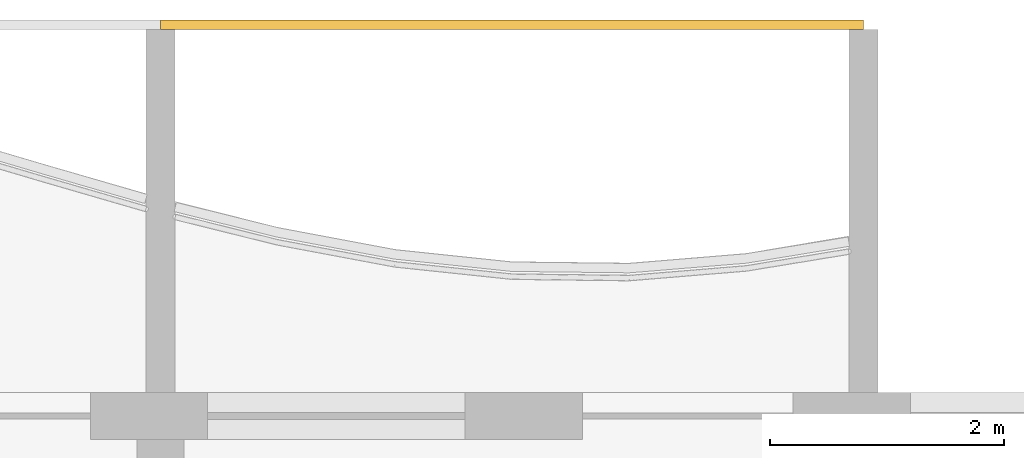
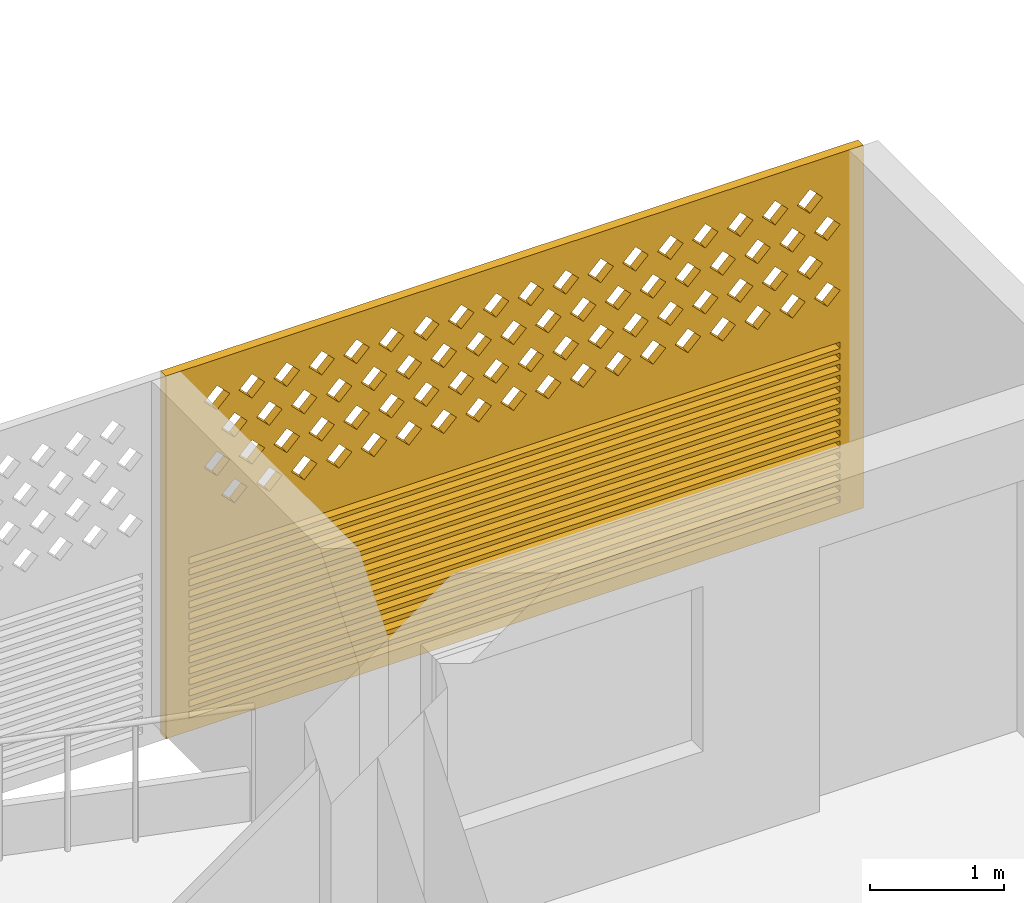
# One storey, part 24 of 39: 1 covering.
"""IFC4 building model written with IfcOpenShell, lengths in metres."""

import ifcopenshell
import ifcopenshell.guid

model = None  # the IFC model being written
_history = None  # IfcOwnerHistory: only IFC2X3 demands one
_inside = {}  # id of a spatial element -> (the spatial element, [elements in it])
_under = {}  # id of a project, library or spatial element -> (it, [spatial elements below it])
_declared = {}  # id of a project -> (the project, [libraries it declares])
_typed = {}  # id of a type object -> (the type object, [elements of that type])
_made_of = {}  # id of a material, layer set ... -> (it, [elements and type objects made of it])


def new_model(schema):
    """Start an empty IFC model of exactly this schema.

    Asked for "IFC4X3", IfcOpenShell would pick the latest addendum, in which some entities
    have other attributes; the version numbers below select the first issue.
    IFC2X3 requires an IfcOwnerHistory on every rooted entity: one is made here for all.
    """
    global model, _history
    if schema == "IFC4X3":
        model = ifcopenshell.file(schema_version=(4, 3, 0, 0))
    else:
        model = ifcopenshell.file(schema=schema)
    _inside.clear()
    _under.clear()
    _declared.clear()
    _typed.clear()
    _made_of.clear()
    _history = None
    if model.schema == "IFC2X3":
        org = make("IfcOrganization", Name="unknown")
        user = make(
            "IfcPersonAndOrganization",
            ThePerson=make("IfcPerson", FamilyName="unknown"),
            TheOrganization=org,
        )
        app = make(
            "IfcApplication",
            ApplicationDeveloper=org,
            Version="unknown",
            ApplicationFullName="unknown",
            ApplicationIdentifier="unknown",
        )
        _history = make(
            "IfcOwnerHistory",
            OwningUser=user,
            OwningApplication=app,
            ChangeAction="ADDED",
            CreationDate=0,
        )
    return model


def make(cls, **values):
    """One entity of the class cls with the attributes given. An attribute that is None is left unset."""
    return model.create_entity(
        cls, **{name: value for name, value in values.items() if value is not None}
    )


def rooted(cls, **values):
    """An entity with a GlobalId (a new one), such as an element, a storey or a relation."""
    return make(cls, GlobalId=ifcopenshell.guid.new(), OwnerHistory=_history, **values)


def si_unit(unit_type, name, prefix=None):
    """IfcSIUnit, for example si_unit("LENGTHUNIT", "METRE", prefix="MILLI")."""
    return make("IfcSIUnit", UnitType=unit_type, Prefix=prefix, Name=name)


def assignment(units):
    """IfcUnitAssignment: the units of a project."""
    return None if units is None else make("IfcUnitAssignment", Units=units)


def point(xyz):
    """IfcCartesianPoint."""
    return None if xyz is None else make("IfcCartesianPoint", Coordinates=xyz)


def direction(xyz):
    """IfcDirection."""
    return None if xyz is None else make("IfcDirection", DirectionRatios=xyz)


def frame(location, z_axis=None, x_axis=None):
    """IfcAxis2Placement3D, a coordinate frame: its origin and axes. An axis left out is left unset."""
    return make(
        "IfcAxis2Placement3D",
        Location=point(location),
        Axis=direction(z_axis),
        RefDirection=direction(x_axis),
    )


def origin():
    """The frame at (0, 0, 0) with its axes left unset."""
    return frame((0.0, 0.0, 0.0))


def place(relative_to, where):
    """IfcLocalPlacement: puts the frame where relative to a parent placement (None: the world)."""
    return make(
        "IfcLocalPlacement", PlacementRelTo=relative_to, RelativePlacement=where
    )


def context(
    kind, dimensions, precision=None, world=None, true_north=None, identifier=None
):
    """IfcGeometricRepresentationContext, for example the 3D "Model" context."""
    return make(
        "IfcGeometricRepresentationContext",
        ContextIdentifier=identifier,
        ContextType=kind,
        CoordinateSpaceDimension=dimensions,
        Precision=precision,
        WorldCoordinateSystem=world,
        TrueNorth=true_north,
    )


def subcontext(parent, identifier, kind, view, scale=None):
    """IfcGeometricRepresentationSubContext, for example "Body" below "Model"."""
    return make(
        "IfcGeometricRepresentationSubContext",
        ContextIdentifier=identifier,
        ContextType=kind,
        ParentContext=parent,
        TargetScale=scale,
        TargetView=view,
    )


def project(units=None, contexts=None):
    """IfcProject with its units and contexts."""
    return rooted(
        "IfcProject",
        Name="project",
        RepresentationContexts=contexts,
        UnitsInContext=assignment(units),
    )


def spatial(cls, under=None, at=None, **own):
    """A site, building, storey or space (cls), placed at a placement, below another one or the project."""
    s = rooted(cls, ObjectPlacement=at, **own)
    if under is not None:
        _under.setdefault(under.id(), (under, []))[1].append(s)
    return s


def polyline(points):
    """IfcPolyline through the points."""
    return make("IfcPolyline", Points=[point(p) for p in points])


def outline(outer, holes=None, kind="AREA"):
    """IfcArbitraryClosedProfileDef: a profile drawn as a closed curve; with holes, ...WithVoids."""
    if holes is None:
        return make("IfcArbitraryClosedProfileDef", ProfileType=kind, OuterCurve=outer)
    return make(
        "IfcArbitraryProfileDefWithVoids",
        ProfileType=kind,
        OuterCurve=outer,
        InnerCurves=holes,
    )


def extrude(swept, where, along, depth):
    """IfcExtrudedAreaSolid: the profile swept, set in the frame where, extruded along a direction by depth."""
    return make(
        "IfcExtrudedAreaSolid",
        SweptArea=swept,
        Position=where,
        ExtrudedDirection=direction(along),
        Depth=depth,
    )


def shape(context_of_items, identifier, shape_type, items):
    """IfcShapeRepresentation: the items that make up one representation, for example the "Body"."""
    return make(
        "IfcShapeRepresentation",
        ContextOfItems=context_of_items,
        RepresentationIdentifier=identifier,
        RepresentationType=shape_type,
        Items=items,
    )


def source(mapping_origin, context_of_items, identifier, shape_type, items):
    """IfcRepresentationMap: a shape defined once, which mapped items show again and again."""
    return make(
        "IfcRepresentationMap",
        MappingOrigin=mapping_origin,
        MappedRepresentation=shape(context_of_items, identifier, shape_type, items),
    )


def transform(
    local_origin,
    x_axis=None,
    y_axis=None,
    z_axis=None,
    scale=None,
    scale2=None,
    scale3=None,
    uniform=True,
):
    """IfcCartesianTransformationOperator3D, or its non-uniform kind. x_axis, y_axis, z_axis: its Axis1, 2, 3."""
    if uniform:
        return make(
            "IfcCartesianTransformationOperator3D",
            Axis1=direction(x_axis),
            Axis2=direction(y_axis),
            LocalOrigin=point(local_origin),
            Scale=scale,
            Axis3=direction(z_axis),
        )
    return make(
        "IfcCartesianTransformationOperator3DnonUniform",
        Axis1=direction(x_axis),
        Axis2=direction(y_axis),
        LocalOrigin=point(local_origin),
        Scale=scale,
        Axis3=direction(z_axis),
        Scale2=scale2,
        Scale3=scale3,
    )


def mapped(mapping_source, mapping_target):
    """IfcMappedItem: shows the shape of a source again, moved by a transform."""
    return make(
        "IfcMappedItem", MappingSource=mapping_source, MappingTarget=mapping_target
    )


def material(Name=None, Category=None):
    """IfcMaterial."""
    return make("IfcMaterial", Name=Name, Category=Category)


def material_profile(
    of_material, cross_section, Name=None, Category=None, Priority=None
):
    """IfcMaterialProfile: a cross section and its material."""
    return make(
        "IfcMaterialProfile",
        Name=Name,
        Material=of_material,
        Profile=cross_section,
        Priority=Priority,
        Category=Category,
    )


def profile_set(profiles, Name=None, composite=None):
    """IfcMaterialProfileSet."""
    return make(
        "IfcMaterialProfileSet",
        Name=Name,
        MaterialProfiles=profiles,
        CompositeProfile=composite,
    )


def made_of(thing, what):
    """Note that an element or type object is made of a material, layer set ...; save() writes the relation."""
    if what is not None:
        _made_of.setdefault(what.id(), (what, []))[1].append(thing)
    return thing


def type_object(cls, material=None, **own):
    """A type object (cls), such as IfcWallType, which elements share."""
    return made_of(rooted(cls, **own), material)


def element(
    cls,
    number,
    at=None,
    inside=None,
    cuts=None,
    type_object=None,
    material=None,
    context=None,
    identifier="Body",
    shape_type=None,
    held_by="IfcProductDefinitionShape",
    body=None,
    shapes=None,
    **own,
):
    """One element of the class cls, such as IfcWall. Its Tag is "e" and its number.

    at: its placement. inside: the storey or other place that contains it. cuts: it is an
    opening in that element (IfcRelVoidsElement). A single representation is given by context,
    identifier, shape_type and body (its items); several are given by shapes. held_by: the class
    of the entity that holds the representations. save() writes the other relations.
    """
    e = rooted(cls, Tag="e%d" % number, ObjectPlacement=at, **own)
    if body is not None:
        shapes = [shape(context, identifier, shape_type, body)]
    if shapes is not None:
        e.Representation = make(held_by, Representations=shapes)
    if inside is not None:
        _inside.setdefault(inside.id(), (inside, []))[1].append(e)
    if cuts is not None:
        rooted(
            "IfcRelVoidsElement", RelatingBuildingElement=cuts, RelatedOpeningElement=e
        )
    if type_object is not None:
        _typed.setdefault(type_object.id(), (type_object, []))[1].append(e)
    return made_of(e, material)


def aggregate(whole, parts):
    """IfcRelAggregates: a whole, such as a stair, and the parts it consists of."""
    return rooted("IfcRelAggregates", RelatingObject=whole, RelatedObjects=parts)


def save(model, path):
    """Write the relations noted so far, then the file.

    IfcRelAggregates (storeys below a building ...), IfcRelContainedInSpatialStructure (elements
    in a storey), IfcRelDefinesByType, IfcRelAssociatesMaterial and IfcRelDeclares: one each for
    every whole, place, type object, material and project.
    """
    for whole, parts in _under.values():
        aggregate(whole, parts)
    for where, things in _inside.values():
        rooted(
            "IfcRelContainedInSpatialStructure",
            RelatedElements=things,
            RelatingStructure=where,
        )
    for kind, things in _typed.values():
        rooted("IfcRelDefinesByType", RelatedObjects=things, RelatingType=kind)
    for what, things in _made_of.values():
        rooted("IfcRelAssociatesMaterial", RelatedObjects=things, RelatingMaterial=what)
    for by, libraries in _declared.values():
        rooted("IfcRelDeclares", RelatingContext=by, RelatedDefinitions=libraries)
    model.write(path)


model = new_model("IFC4")

# Units and contexts
model_context = context("Model", 3, precision=1e-05, world=origin(), true_north=direction((0.0, 1.0)))
body_context = subcontext(model_context, "Body", "Model", "MODEL_VIEW")
ifc_project = project(units=[si_unit("LENGTHUNIT", "METRE"), si_unit("AREAUNIT", "SQUARE_METRE"), si_unit("VOLUMEUNIT", "CUBIC_METRE"), si_unit("PLANEANGLEUNIT", "RADIAN"), si_unit("MASSUNIT", "GRAM", prefix="KILO")], contexts=[model_context])

# Site, building, storey
site_placement = place(None, origin())
site = spatial("IfcSite", under=ifc_project, at=site_placement, CompositionType="ELEMENT")
building_placement = place(site_placement, origin())
building = spatial("IfcBuilding", under=site, at=building_placement, Name="Poui Terraces", CompositionType="ELEMENT")
storey_placement = place(building_placement, frame((0.0, 0.0, 63.0)))
storey = spatial("IfcBuildingStorey", under=building, at=storey_placement, Name="L17", CompositionType="ELEMENT", Elevation=63.0)

# Covering
ifc_material = material(Name="Terracotta screen", Category="masonry")
ifc_material_profile = material_profile(ifc_material, outline(polyline([(-3.0, -1.64990234375), (3.0, -1.64990234375), (3.0, 1.64990234375), (-3.0, 1.64990234375), (-3.0, -1.64990234375)]), holes=[polyline([(-2.800048828125, 0.39990234375), (-2.68994140625, 0.2900390625), (-2.580078125, 0.39990234375), (-2.68994140625, 0.510009765625), (-2.800048828125, 0.39990234375)]), polyline([(-2.5, 0.39990234375), (-2.389892578125, 0.2900390625), (-2.280029296875, 0.39990234375), (-2.389892578125, 0.510009765625), (-2.5, 0.39990234375)]), polyline([(-2.199951171875, 0.39990234375), (-2.090087890625, 0.2900390625), (-1.97998046875, 0.39990234375), (-2.090087890625, 0.510009765625), (-2.199951171875, 0.39990234375)]), polyline([(-1.89990234375, 0.39990234375), (-1.7900390625, 0.2900390625), (-1.679931640625, 0.39990234375), (-1.7900390625, 0.510009765625), (-1.89990234375, 0.39990234375)]), polyline([(-1.60009765625, 0.39990234375), (-1.489990234375, 0.2900390625), (-1.3798828125, 0.39990234375), (-1.489990234375, 0.510009765625), (-1.60009765625, 0.39990234375)]), polyline([(-1.300048828125, 0.39990234375), (-1.18994140625, 0.2900390625), (-1.080078125, 0.39990234375), (-1.18994140625, 0.510009765625), (-1.300048828125, 0.39990234375)]), polyline([(-1.0, 0.39990234375), (-0.889892578125, 0.2900390625), (-0.780029296875, 0.39990234375), (-0.889892578125, 0.510009765625), (-1.0, 0.39990234375)]), polyline([(-0.699951171875, 0.39990234375), (-0.590087890625, 0.2900390625), (-0.47998046875, 0.39990234375), (-0.590087890625, 0.510009765625), (-0.699951171875, 0.39990234375)]), polyline([(-0.39990234375, 0.39990234375), (-0.2900390625, 0.2900390625), (-0.179931640625, 0.39990234375), (-0.2900390625, 0.510009765625), (-0.39990234375, 0.39990234375)]), polyline([(-0.10009765625, 0.39990234375), (0.010009765625, 0.2900390625), (0.1201171875, 0.39990234375), (0.010009765625, 0.510009765625), (-0.10009765625, 0.39990234375)]), polyline([(0.199951171875, 0.39990234375), (0.31005859375, 0.2900390625), (0.419921875, 0.39990234375), (0.31005859375, 0.510009765625), (0.199951171875, 0.39990234375)]), polyline([(0.5, 0.39990234375), (0.610107421875, 0.2900390625), (0.719970703125, 0.39990234375), (0.610107421875, 0.510009765625), (0.5, 0.39990234375)]), polyline([(0.800048828125, 0.39990234375), (0.909912109375, 0.2900390625), (1.02001953125, 0.39990234375), (0.909912109375, 0.510009765625), (0.800048828125, 0.39990234375)]), polyline([(1.10009765625, 0.39990234375), (1.2099609375, 0.2900390625), (1.320068359375, 0.39990234375), (1.2099609375, 0.510009765625), (1.10009765625, 0.39990234375)]), polyline([(1.39990234375, 0.39990234375), (1.510009765625, 0.2900390625), (1.6201171875, 0.39990234375), (1.510009765625, 0.510009765625), (1.39990234375, 0.39990234375)]), polyline([(1.699951171875, 0.39990234375), (1.81005859375, 0.2900390625), (1.919921875, 0.39990234375), (1.81005859375, 0.510009765625), (1.699951171875, 0.39990234375)]), polyline([(2.0, 0.39990234375), (2.110107421875, 0.2900390625), (2.219970703125, 0.39990234375), (2.110107421875, 0.510009765625), (2.0, 0.39990234375)]), polyline([(2.300048828125, 0.39990234375), (2.409912109375, 0.2900390625), (2.52001953125, 0.39990234375), (2.409912109375, 0.510009765625), (2.300048828125, 0.39990234375)]), polyline([(-2.64990234375, 0.699951171875), (-2.5400390625, 0.590087890625), (-2.429931640625, 0.699951171875), (-2.5400390625, 0.81005859375), (-2.64990234375, 0.699951171875)]), polyline([(-2.35009765625, 0.699951171875), (-2.239990234375, 0.590087890625), (-2.1298828125, 0.699951171875), (-2.239990234375, 0.81005859375), (-2.35009765625, 0.699951171875)]), polyline([(-2.050048828125, 0.699951171875), (-1.93994140625, 0.590087890625), (-1.830078125, 0.699951171875), (-1.93994140625, 0.81005859375), (-2.050048828125, 0.699951171875)]), polyline([(-1.75, 0.699951171875), (-1.639892578125, 0.590087890625), (-1.530029296875, 0.699951171875), (-1.639892578125, 0.81005859375), (-1.75, 0.699951171875)]), polyline([(-1.449951171875, 0.699951171875), (-1.340087890625, 0.590087890625), (-1.22998046875, 0.699951171875), (-1.340087890625, 0.81005859375), (-1.449951171875, 0.699951171875)]), polyline([(-1.14990234375, 0.699951171875), (-1.0400390625, 0.590087890625), (-0.929931640625, 0.699951171875), (-1.0400390625, 0.81005859375), (-1.14990234375, 0.699951171875)]), polyline([(-0.85009765625, 0.699951171875), (-0.739990234375, 0.590087890625), (-0.6298828125, 0.699951171875), (-0.739990234375, 0.81005859375), (-0.85009765625, 0.699951171875)]), polyline([(-0.550048828125, 0.699951171875), (-0.43994140625, 0.590087890625), (-0.330078125, 0.699951171875), (-0.43994140625, 0.81005859375), (-0.550048828125, 0.699951171875)]), polyline([(-0.25, 0.699951171875), (-0.139892578125, 0.590087890625), (-0.030029296875, 0.699951171875), (-0.139892578125, 0.81005859375), (-0.25, 0.699951171875)]), polyline([(0.050048828125, 0.699951171875), (0.159912109375, 0.590087890625), (0.27001953125, 0.699951171875), (0.159912109375, 0.81005859375), (0.050048828125, 0.699951171875)]), polyline([(0.35009765625, 0.699951171875), (0.4599609375, 0.590087890625), (0.570068359375, 0.699951171875), (0.4599609375, 0.81005859375), (0.35009765625, 0.699951171875)]), polyline([(0.64990234375, 0.699951171875), (0.760009765625, 0.590087890625), (0.8701171875, 0.699951171875), (0.760009765625, 0.81005859375), (0.64990234375, 0.699951171875)]), polyline([(0.949951171875, 0.699951171875), (1.06005859375, 0.590087890625), (1.169921875, 0.699951171875), (1.06005859375, 0.81005859375), (0.949951171875, 0.699951171875)]), polyline([(1.25, 0.699951171875), (1.360107421875, 0.590087890625), (1.469970703125, 0.699951171875), (1.360107421875, 0.81005859375), (1.25, 0.699951171875)]), polyline([(1.550048828125, 0.699951171875), (1.659912109375, 0.590087890625), (1.77001953125, 0.699951171875), (1.659912109375, 0.81005859375), (1.550048828125, 0.699951171875)]), polyline([(1.85009765625, 0.699951171875), (1.9599609375, 0.590087890625), (2.070068359375, 0.699951171875), (1.9599609375, 0.81005859375), (1.85009765625, 0.699951171875)]), polyline([(2.14990234375, 0.699951171875), (2.260009765625, 0.590087890625), (2.3701171875, 0.699951171875), (2.260009765625, 0.81005859375), (2.14990234375, 0.699951171875)]), polyline([(2.449951171875, 0.699951171875), (2.56005859375, 0.590087890625), (2.669921875, 0.699951171875), (2.56005859375, 0.81005859375), (2.449951171875, 0.699951171875)]), polyline([(-2.800048828125, 1.0), (-2.68994140625, 0.889892578125), (-2.580078125, 1.0), (-2.68994140625, 1.110107421875), (-2.800048828125, 1.0)]), polyline([(-2.5, 1.0), (-2.389892578125, 0.889892578125), (-2.280029296875, 1.0), (-2.389892578125, 1.110107421875), (-2.5, 1.0)]), polyline([(-2.199951171875, 1.0), (-2.090087890625, 0.889892578125), (-1.97998046875, 1.0), (-2.090087890625, 1.110107421875), (-2.199951171875, 1.0)]), polyline([(-1.89990234375, 1.0), (-1.7900390625, 0.889892578125), (-1.679931640625, 1.0), (-1.7900390625, 1.110107421875), (-1.89990234375, 1.0)]), polyline([(-1.60009765625, 1.0), (-1.489990234375, 0.889892578125), (-1.3798828125, 1.0), (-1.489990234375, 1.110107421875), (-1.60009765625, 1.0)]), polyline([(-1.300048828125, 1.0), (-1.18994140625, 0.889892578125), (-1.080078125, 1.0), (-1.18994140625, 1.110107421875), (-1.300048828125, 1.0)]), polyline([(-1.0, 1.0), (-0.889892578125, 0.889892578125), (-0.780029296875, 1.0), (-0.889892578125, 1.110107421875), (-1.0, 1.0)]), polyline([(-0.699951171875, 1.0), (-0.590087890625, 0.889892578125), (-0.47998046875, 1.0), (-0.590087890625, 1.110107421875), (-0.699951171875, 1.0)]), polyline([(-0.39990234375, 1.0), (-0.2900390625, 0.889892578125), (-0.179931640625, 1.0), (-0.2900390625, 1.110107421875), (-0.39990234375, 1.0)]), polyline([(-0.10009765625, 1.0), (0.010009765625, 0.889892578125), (0.1201171875, 1.0), (0.010009765625, 1.110107421875), (-0.10009765625, 1.0)]), polyline([(0.199951171875, 1.0), (0.31005859375, 0.889892578125), (0.419921875, 1.0), (0.31005859375, 1.110107421875), (0.199951171875, 1.0)]), polyline([(0.5, 1.0), (0.610107421875, 0.889892578125), (0.719970703125, 1.0), (0.610107421875, 1.110107421875), (0.5, 1.0)]), polyline([(0.800048828125, 1.0), (0.909912109375, 0.889892578125), (1.02001953125, 1.0), (0.909912109375, 1.110107421875), (0.800048828125, 1.0)]), polyline([(1.10009765625, 1.0), (1.2099609375, 0.889892578125), (1.320068359375, 1.0), (1.2099609375, 1.110107421875), (1.10009765625, 1.0)]), polyline([(1.39990234375, 1.0), (1.510009765625, 0.889892578125), (1.6201171875, 1.0), (1.510009765625, 1.110107421875), (1.39990234375, 1.0)]), polyline([(1.699951171875, 1.0), (1.81005859375, 0.889892578125), (1.919921875, 1.0), (1.81005859375, 1.110107421875), (1.699951171875, 1.0)]), polyline([(2.0, 1.0), (2.110107421875, 0.889892578125), (2.219970703125, 1.0), (2.110107421875, 1.110107421875), (2.0, 1.0)]), polyline([(2.300048828125, 1.0), (2.409912109375, 0.889892578125), (2.52001953125, 1.0), (2.409912109375, 1.110107421875), (2.300048828125, 1.0)]), polyline([(-2.64990234375, 1.300048828125), (-2.5400390625, 1.18994140625), (-2.429931640625, 1.300048828125), (-2.5400390625, 1.409912109375), (-2.64990234375, 1.300048828125)]), polyline([(-2.35009765625, 1.300048828125), (-2.239990234375, 1.18994140625), (-2.1298828125, 1.300048828125), (-2.239990234375, 1.409912109375), (-2.35009765625, 1.300048828125)]), polyline([(-2.050048828125, 1.300048828125), (-1.93994140625, 1.18994140625), (-1.830078125, 1.300048828125), (-1.93994140625, 1.409912109375), (-2.050048828125, 1.300048828125)]), polyline([(-1.75, 1.300048828125), (-1.639892578125, 1.18994140625), (-1.530029296875, 1.300048828125), (-1.639892578125, 1.409912109375), (-1.75, 1.300048828125)]), polyline([(-1.449951171875, 1.300048828125), (-1.340087890625, 1.18994140625), (-1.22998046875, 1.300048828125), (-1.340087890625, 1.409912109375), (-1.449951171875, 1.300048828125)]), polyline([(-1.14990234375, 1.300048828125), (-1.0400390625, 1.18994140625), (-0.929931640625, 1.300048828125), (-1.0400390625, 1.409912109375), (-1.14990234375, 1.300048828125)]), polyline([(-0.85009765625, 1.300048828125), (-0.739990234375, 1.18994140625), (-0.6298828125, 1.300048828125), (-0.739990234375, 1.409912109375), (-0.85009765625, 1.300048828125)]), polyline([(-0.550048828125, 1.300048828125), (-0.43994140625, 1.18994140625), (-0.330078125, 1.300048828125), (-0.43994140625, 1.409912109375), (-0.550048828125, 1.300048828125)]), polyline([(-0.25, 1.300048828125), (-0.139892578125, 1.18994140625), (-0.030029296875, 1.300048828125), (-0.139892578125, 1.409912109375), (-0.25, 1.300048828125)]), polyline([(0.050048828125, 1.300048828125), (0.159912109375, 1.18994140625), (0.27001953125, 1.300048828125), (0.159912109375, 1.409912109375), (0.050048828125, 1.300048828125)]), polyline([(0.35009765625, 1.300048828125), (0.4599609375, 1.18994140625), (0.570068359375, 1.300048828125), (0.4599609375, 1.409912109375), (0.35009765625, 1.300048828125)]), polyline([(0.64990234375, 1.300048828125), (0.760009765625, 1.18994140625), (0.8701171875, 1.300048828125), (0.760009765625, 1.409912109375), (0.64990234375, 1.300048828125)]), polyline([(0.949951171875, 1.300048828125), (1.06005859375, 1.18994140625), (1.169921875, 1.300048828125), (1.06005859375, 1.409912109375), (0.949951171875, 1.300048828125)]), polyline([(1.25, 1.300048828125), (1.360107421875, 1.18994140625), (1.469970703125, 1.300048828125), (1.360107421875, 1.409912109375), (1.25, 1.300048828125)]), polyline([(1.550048828125, 1.300048828125), (1.659912109375, 1.18994140625), (1.77001953125, 1.300048828125), (1.659912109375, 1.409912109375), (1.550048828125, 1.300048828125)]), polyline([(1.85009765625, 1.300048828125), (1.9599609375, 1.18994140625), (2.070068359375, 1.300048828125), (1.9599609375, 1.409912109375), (1.85009765625, 1.300048828125)]), polyline([(2.14990234375, 1.300048828125), (2.260009765625, 1.18994140625), (2.3701171875, 1.300048828125), (2.260009765625, 1.409912109375), (2.14990234375, 1.300048828125)]), polyline([(2.449951171875, 1.300048828125), (2.56005859375, 1.18994140625), (2.669921875, 1.300048828125), (2.56005859375, 1.409912109375), (2.449951171875, 1.300048828125)]), polyline([(-2.800048828125, -1.530029296875), (2.800048828125, -1.530029296875), (2.800048828125, -1.469970703125), (-2.800048828125, -1.469970703125), (-2.800048828125, -1.530029296875)]), polyline([(-2.800048828125, -1.429931640625), (2.800048828125, -1.429931640625), (2.800048828125, -1.3701171875), (-2.800048828125, -1.3701171875), (-2.800048828125, -1.429931640625)]), polyline([(-2.800048828125, -1.330078125), (2.800048828125, -1.330078125), (2.800048828125, -1.27001953125), (-2.800048828125, -1.27001953125), (-2.800048828125, -1.330078125)]), polyline([(-2.800048828125, -1.22998046875), (2.800048828125, -1.22998046875), (2.800048828125, -1.169921875), (-2.800048828125, -1.169921875), (-2.800048828125, -1.22998046875)]), polyline([(-2.800048828125, -1.1298828125), (2.800048828125, -1.1298828125), (2.800048828125, -1.070068359375), (-2.800048828125, -1.070068359375), (-2.800048828125, -1.1298828125)]), polyline([(-2.800048828125, -1.030029296875), (2.800048828125, -1.030029296875), (2.800048828125, -0.969970703125), (-2.800048828125, -0.969970703125), (-2.800048828125, -1.030029296875)]), polyline([(-2.800048828125, -0.929931640625), (2.800048828125, -0.929931640625), (2.800048828125, -0.8701171875), (-2.800048828125, -0.8701171875), (-2.800048828125, -0.929931640625)]), polyline([(-2.800048828125, -0.830078125), (2.800048828125, -0.830078125), (2.800048828125, -0.77001953125), (-2.800048828125, -0.77001953125), (-2.800048828125, -0.830078125)]), polyline([(-2.800048828125, -0.72998046875), (2.800048828125, -0.72998046875), (2.800048828125, -0.669921875), (-2.800048828125, -0.669921875), (-2.800048828125, -0.72998046875)]), polyline([(-2.800048828125, -0.6298828125), (2.800048828125, -0.6298828125), (2.800048828125, -0.570068359375), (-2.800048828125, -0.570068359375), (-2.800048828125, -0.6298828125)]), polyline([(-2.800048828125, -0.530029296875), (2.800048828125, -0.530029296875), (2.800048828125, -0.469970703125), (-2.800048828125, -0.469970703125), (-2.800048828125, -0.530029296875)]), polyline([(-2.800048828125, -0.429931640625), (2.800048828125, -0.429931640625), (2.800048828125, -0.3701171875), (-2.800048828125, -0.3701171875), (-2.800048828125, -0.429931640625)]), polyline([(-2.800048828125, -0.330078125), (2.800048828125, -0.330078125), (2.800048828125, -0.27001953125), (-2.800048828125, -0.27001953125), (-2.800048828125, -0.330078125)]), polyline([(-2.800048828125, -0.22998046875), (2.800048828125, -0.22998046875), (2.800048828125, -0.169921875), (-2.800048828125, -0.169921875), (-2.800048828125, -0.22998046875)]), polyline([(-2.800048828125, -0.1298828125), (2.800048828125, -0.1298828125), (2.800048828125, -0.070068359375), (-2.800048828125, -0.070068359375), (-2.800048828125, -0.1298828125)])]), Name="TERRACOTTA SCREEN AND JALOUSIE LOUVRE 6000X3300")
ifc_profile_set = profile_set([ifc_material_profile], Name="Terracotta screen")
covering_type = type_object("IfcCoveringType", Name="TERRACOTTA SCREEN AND JALOUSIE LOUVRE 6000X3300", PredefinedType="CLADDING", material=ifc_profile_set)
shared_shape = source(origin(), body_context, "Body", "SweptSolid", [
    extrude(outline(polyline([(-3.0, -1.64990234375), (3.0, -1.64990234375), (3.0, 1.64990234375), (-3.0, 1.64990234375), (-3.0, -1.64990234375)]), holes=[polyline([(-2.800048828125, 0.39990234375), (-2.68994140625, 0.2900390625), (-2.580078125, 0.39990234375), (-2.68994140625, 0.510009765625), (-2.800048828125, 0.39990234375)]), polyline([(-2.5, 0.39990234375), (-2.389892578125, 0.2900390625), (-2.280029296875, 0.39990234375), (-2.389892578125, 0.510009765625), (-2.5, 0.39990234375)]), polyline([(-2.199951171875, 0.39990234375), (-2.090087890625, 0.2900390625), (-1.97998046875, 0.39990234375), (-2.090087890625, 0.510009765625), (-2.199951171875, 0.39990234375)]), polyline([(-1.89990234375, 0.39990234375), (-1.7900390625, 0.2900390625), (-1.679931640625, 0.39990234375), (-1.7900390625, 0.510009765625), (-1.89990234375, 0.39990234375)]), polyline([(-1.60009765625, 0.39990234375), (-1.489990234375, 0.2900390625), (-1.3798828125, 0.39990234375), (-1.489990234375, 0.510009765625), (-1.60009765625, 0.39990234375)]), polyline([(-1.300048828125, 0.39990234375), (-1.18994140625, 0.2900390625), (-1.080078125, 0.39990234375), (-1.18994140625, 0.510009765625), (-1.300048828125, 0.39990234375)]), polyline([(-1.0, 0.39990234375), (-0.889892578125, 0.2900390625), (-0.780029296875, 0.39990234375), (-0.889892578125, 0.510009765625), (-1.0, 0.39990234375)]), polyline([(-0.699951171875, 0.39990234375), (-0.590087890625, 0.2900390625), (-0.47998046875, 0.39990234375), (-0.590087890625, 0.510009765625), (-0.699951171875, 0.39990234375)]), polyline([(-0.39990234375, 0.39990234375), (-0.2900390625, 0.2900390625), (-0.179931640625, 0.39990234375), (-0.2900390625, 0.510009765625), (-0.39990234375, 0.39990234375)]), polyline([(-0.10009765625, 0.39990234375), (0.010009765625, 0.2900390625), (0.1201171875, 0.39990234375), (0.010009765625, 0.510009765625), (-0.10009765625, 0.39990234375)]), polyline([(0.199951171875, 0.39990234375), (0.31005859375, 0.2900390625), (0.419921875, 0.39990234375), (0.31005859375, 0.510009765625), (0.199951171875, 0.39990234375)]), polyline([(0.5, 0.39990234375), (0.610107421875, 0.2900390625), (0.719970703125, 0.39990234375), (0.610107421875, 0.510009765625), (0.5, 0.39990234375)]), polyline([(0.800048828125, 0.39990234375), (0.909912109375, 0.2900390625), (1.02001953125, 0.39990234375), (0.909912109375, 0.510009765625), (0.800048828125, 0.39990234375)]), polyline([(1.10009765625, 0.39990234375), (1.2099609375, 0.2900390625), (1.320068359375, 0.39990234375), (1.2099609375, 0.510009765625), (1.10009765625, 0.39990234375)]), polyline([(1.39990234375, 0.39990234375), (1.510009765625, 0.2900390625), (1.6201171875, 0.39990234375), (1.510009765625, 0.510009765625), (1.39990234375, 0.39990234375)]), polyline([(1.699951171875, 0.39990234375), (1.81005859375, 0.2900390625), (1.919921875, 0.39990234375), (1.81005859375, 0.510009765625), (1.699951171875, 0.39990234375)]), polyline([(2.0, 0.39990234375), (2.110107421875, 0.2900390625), (2.219970703125, 0.39990234375), (2.110107421875, 0.510009765625), (2.0, 0.39990234375)]), polyline([(2.300048828125, 0.39990234375), (2.409912109375, 0.2900390625), (2.52001953125, 0.39990234375), (2.409912109375, 0.510009765625), (2.300048828125, 0.39990234375)]), polyline([(-2.64990234375, 0.699951171875), (-2.5400390625, 0.590087890625), (-2.429931640625, 0.699951171875), (-2.5400390625, 0.81005859375), (-2.64990234375, 0.699951171875)]), polyline([(-2.35009765625, 0.699951171875), (-2.239990234375, 0.590087890625), (-2.1298828125, 0.699951171875), (-2.239990234375, 0.81005859375), (-2.35009765625, 0.699951171875)]), polyline([(-2.050048828125, 0.699951171875), (-1.93994140625, 0.590087890625), (-1.830078125, 0.699951171875), (-1.93994140625, 0.81005859375), (-2.050048828125, 0.699951171875)]), polyline([(-1.75, 0.699951171875), (-1.639892578125, 0.590087890625), (-1.530029296875, 0.699951171875), (-1.639892578125, 0.81005859375), (-1.75, 0.699951171875)]), polyline([(-1.449951171875, 0.699951171875), (-1.340087890625, 0.590087890625), (-1.22998046875, 0.699951171875), (-1.340087890625, 0.81005859375), (-1.449951171875, 0.699951171875)]), polyline([(-1.14990234375, 0.699951171875), (-1.0400390625, 0.590087890625), (-0.929931640625, 0.699951171875), (-1.0400390625, 0.81005859375), (-1.14990234375, 0.699951171875)]), polyline([(-0.85009765625, 0.699951171875), (-0.739990234375, 0.590087890625), (-0.6298828125, 0.699951171875), (-0.739990234375, 0.81005859375), (-0.85009765625, 0.699951171875)]), polyline([(-0.550048828125, 0.699951171875), (-0.43994140625, 0.590087890625), (-0.330078125, 0.699951171875), (-0.43994140625, 0.81005859375), (-0.550048828125, 0.699951171875)]), polyline([(-0.25, 0.699951171875), (-0.139892578125, 0.590087890625), (-0.030029296875, 0.699951171875), (-0.139892578125, 0.81005859375), (-0.25, 0.699951171875)]), polyline([(0.050048828125, 0.699951171875), (0.159912109375, 0.590087890625), (0.27001953125, 0.699951171875), (0.159912109375, 0.81005859375), (0.050048828125, 0.699951171875)]), polyline([(0.35009765625, 0.699951171875), (0.4599609375, 0.590087890625), (0.570068359375, 0.699951171875), (0.4599609375, 0.81005859375), (0.35009765625, 0.699951171875)]), polyline([(0.64990234375, 0.699951171875), (0.760009765625, 0.590087890625), (0.8701171875, 0.699951171875), (0.760009765625, 0.81005859375), (0.64990234375, 0.699951171875)]), polyline([(0.949951171875, 0.699951171875), (1.06005859375, 0.590087890625), (1.169921875, 0.699951171875), (1.06005859375, 0.81005859375), (0.949951171875, 0.699951171875)]), polyline([(1.25, 0.699951171875), (1.360107421875, 0.590087890625), (1.469970703125, 0.699951171875), (1.360107421875, 0.81005859375), (1.25, 0.699951171875)]), polyline([(1.550048828125, 0.699951171875), (1.659912109375, 0.590087890625), (1.77001953125, 0.699951171875), (1.659912109375, 0.81005859375), (1.550048828125, 0.699951171875)]), polyline([(1.85009765625, 0.699951171875), (1.9599609375, 0.590087890625), (2.070068359375, 0.699951171875), (1.9599609375, 0.81005859375), (1.85009765625, 0.699951171875)]), polyline([(2.14990234375, 0.699951171875), (2.260009765625, 0.590087890625), (2.3701171875, 0.699951171875), (2.260009765625, 0.81005859375), (2.14990234375, 0.699951171875)]), polyline([(2.449951171875, 0.699951171875), (2.56005859375, 0.590087890625), (2.669921875, 0.699951171875), (2.56005859375, 0.81005859375), (2.449951171875, 0.699951171875)]), polyline([(-2.800048828125, 1.0), (-2.68994140625, 0.889892578125), (-2.580078125, 1.0), (-2.68994140625, 1.110107421875), (-2.800048828125, 1.0)]), polyline([(-2.5, 1.0), (-2.389892578125, 0.889892578125), (-2.280029296875, 1.0), (-2.389892578125, 1.110107421875), (-2.5, 1.0)]), polyline([(-2.199951171875, 1.0), (-2.090087890625, 0.889892578125), (-1.97998046875, 1.0), (-2.090087890625, 1.110107421875), (-2.199951171875, 1.0)]), polyline([(-1.89990234375, 1.0), (-1.7900390625, 0.889892578125), (-1.679931640625, 1.0), (-1.7900390625, 1.110107421875), (-1.89990234375, 1.0)]), polyline([(-1.60009765625, 1.0), (-1.489990234375, 0.889892578125), (-1.3798828125, 1.0), (-1.489990234375, 1.110107421875), (-1.60009765625, 1.0)]), polyline([(-1.300048828125, 1.0), (-1.18994140625, 0.889892578125), (-1.080078125, 1.0), (-1.18994140625, 1.110107421875), (-1.300048828125, 1.0)]), polyline([(-1.0, 1.0), (-0.889892578125, 0.889892578125), (-0.780029296875, 1.0), (-0.889892578125, 1.110107421875), (-1.0, 1.0)]), polyline([(-0.699951171875, 1.0), (-0.590087890625, 0.889892578125), (-0.47998046875, 1.0), (-0.590087890625, 1.110107421875), (-0.699951171875, 1.0)]), polyline([(-0.39990234375, 1.0), (-0.2900390625, 0.889892578125), (-0.179931640625, 1.0), (-0.2900390625, 1.110107421875), (-0.39990234375, 1.0)]), polyline([(-0.10009765625, 1.0), (0.010009765625, 0.889892578125), (0.1201171875, 1.0), (0.010009765625, 1.110107421875), (-0.10009765625, 1.0)]), polyline([(0.199951171875, 1.0), (0.31005859375, 0.889892578125), (0.419921875, 1.0), (0.31005859375, 1.110107421875), (0.199951171875, 1.0)]), polyline([(0.5, 1.0), (0.610107421875, 0.889892578125), (0.719970703125, 1.0), (0.610107421875, 1.110107421875), (0.5, 1.0)]), polyline([(0.800048828125, 1.0), (0.909912109375, 0.889892578125), (1.02001953125, 1.0), (0.909912109375, 1.110107421875), (0.800048828125, 1.0)]), polyline([(1.10009765625, 1.0), (1.2099609375, 0.889892578125), (1.320068359375, 1.0), (1.2099609375, 1.110107421875), (1.10009765625, 1.0)]), polyline([(1.39990234375, 1.0), (1.510009765625, 0.889892578125), (1.6201171875, 1.0), (1.510009765625, 1.110107421875), (1.39990234375, 1.0)]), polyline([(1.699951171875, 1.0), (1.81005859375, 0.889892578125), (1.919921875, 1.0), (1.81005859375, 1.110107421875), (1.699951171875, 1.0)]), polyline([(2.0, 1.0), (2.110107421875, 0.889892578125), (2.219970703125, 1.0), (2.110107421875, 1.110107421875), (2.0, 1.0)]), polyline([(2.300048828125, 1.0), (2.409912109375, 0.889892578125), (2.52001953125, 1.0), (2.409912109375, 1.110107421875), (2.300048828125, 1.0)]), polyline([(-2.64990234375, 1.300048828125), (-2.5400390625, 1.18994140625), (-2.429931640625, 1.300048828125), (-2.5400390625, 1.409912109375), (-2.64990234375, 1.300048828125)]), polyline([(-2.35009765625, 1.300048828125), (-2.239990234375, 1.18994140625), (-2.1298828125, 1.300048828125), (-2.239990234375, 1.409912109375), (-2.35009765625, 1.300048828125)]), polyline([(-2.050048828125, 1.300048828125), (-1.93994140625, 1.18994140625), (-1.830078125, 1.300048828125), (-1.93994140625, 1.409912109375), (-2.050048828125, 1.300048828125)]), polyline([(-1.75, 1.300048828125), (-1.639892578125, 1.18994140625), (-1.530029296875, 1.300048828125), (-1.639892578125, 1.409912109375), (-1.75, 1.300048828125)]), polyline([(-1.449951171875, 1.300048828125), (-1.340087890625, 1.18994140625), (-1.22998046875, 1.300048828125), (-1.340087890625, 1.409912109375), (-1.449951171875, 1.300048828125)]), polyline([(-1.14990234375, 1.300048828125), (-1.0400390625, 1.18994140625), (-0.929931640625, 1.300048828125), (-1.0400390625, 1.409912109375), (-1.14990234375, 1.300048828125)]), polyline([(-0.85009765625, 1.300048828125), (-0.739990234375, 1.18994140625), (-0.6298828125, 1.300048828125), (-0.739990234375, 1.409912109375), (-0.85009765625, 1.300048828125)]), polyline([(-0.550048828125, 1.300048828125), (-0.43994140625, 1.18994140625), (-0.330078125, 1.300048828125), (-0.43994140625, 1.409912109375), (-0.550048828125, 1.300048828125)]), polyline([(-0.25, 1.300048828125), (-0.139892578125, 1.18994140625), (-0.030029296875, 1.300048828125), (-0.139892578125, 1.409912109375), (-0.25, 1.300048828125)]), polyline([(0.050048828125, 1.300048828125), (0.159912109375, 1.18994140625), (0.27001953125, 1.300048828125), (0.159912109375, 1.409912109375), (0.050048828125, 1.300048828125)]), polyline([(0.35009765625, 1.300048828125), (0.4599609375, 1.18994140625), (0.570068359375, 1.300048828125), (0.4599609375, 1.409912109375), (0.35009765625, 1.300048828125)]), polyline([(0.64990234375, 1.300048828125), (0.760009765625, 1.18994140625), (0.8701171875, 1.300048828125), (0.760009765625, 1.409912109375), (0.64990234375, 1.300048828125)]), polyline([(0.949951171875, 1.300048828125), (1.06005859375, 1.18994140625), (1.169921875, 1.300048828125), (1.06005859375, 1.409912109375), (0.949951171875, 1.300048828125)]), polyline([(1.25, 1.300048828125), (1.360107421875, 1.18994140625), (1.469970703125, 1.300048828125), (1.360107421875, 1.409912109375), (1.25, 1.300048828125)]), polyline([(1.550048828125, 1.300048828125), (1.659912109375, 1.18994140625), (1.77001953125, 1.300048828125), (1.659912109375, 1.409912109375), (1.550048828125, 1.300048828125)]), polyline([(1.85009765625, 1.300048828125), (1.9599609375, 1.18994140625), (2.070068359375, 1.300048828125), (1.9599609375, 1.409912109375), (1.85009765625, 1.300048828125)]), polyline([(2.14990234375, 1.300048828125), (2.260009765625, 1.18994140625), (2.3701171875, 1.300048828125), (2.260009765625, 1.409912109375), (2.14990234375, 1.300048828125)]), polyline([(2.449951171875, 1.300048828125), (2.56005859375, 1.18994140625), (2.669921875, 1.300048828125), (2.56005859375, 1.409912109375), (2.449951171875, 1.300048828125)]), polyline([(-2.800048828125, -1.530029296875), (2.800048828125, -1.530029296875), (2.800048828125, -1.469970703125), (-2.800048828125, -1.469970703125), (-2.800048828125, -1.530029296875)]), polyline([(-2.800048828125, -1.429931640625), (2.800048828125, -1.429931640625), (2.800048828125, -1.3701171875), (-2.800048828125, -1.3701171875), (-2.800048828125, -1.429931640625)]), polyline([(-2.800048828125, -1.330078125), (2.800048828125, -1.330078125), (2.800048828125, -1.27001953125), (-2.800048828125, -1.27001953125), (-2.800048828125, -1.330078125)]), polyline([(-2.800048828125, -1.22998046875), (2.800048828125, -1.22998046875), (2.800048828125, -1.169921875), (-2.800048828125, -1.169921875), (-2.800048828125, -1.22998046875)]), polyline([(-2.800048828125, -1.1298828125), (2.800048828125, -1.1298828125), (2.800048828125, -1.070068359375), (-2.800048828125, -1.070068359375), (-2.800048828125, -1.1298828125)]), polyline([(-2.800048828125, -1.030029296875), (2.800048828125, -1.030029296875), (2.800048828125, -0.969970703125), (-2.800048828125, -0.969970703125), (-2.800048828125, -1.030029296875)]), polyline([(-2.800048828125, -0.929931640625), (2.800048828125, -0.929931640625), (2.800048828125, -0.8701171875), (-2.800048828125, -0.8701171875), (-2.800048828125, -0.929931640625)]), polyline([(-2.800048828125, -0.830078125), (2.800048828125, -0.830078125), (2.800048828125, -0.77001953125), (-2.800048828125, -0.77001953125), (-2.800048828125, -0.830078125)]), polyline([(-2.800048828125, -0.72998046875), (2.800048828125, -0.72998046875), (2.800048828125, -0.669921875), (-2.800048828125, -0.669921875), (-2.800048828125, -0.72998046875)]), polyline([(-2.800048828125, -0.6298828125), (2.800048828125, -0.6298828125), (2.800048828125, -0.570068359375), (-2.800048828125, -0.570068359375), (-2.800048828125, -0.6298828125)]), polyline([(-2.800048828125, -0.530029296875), (2.800048828125, -0.530029296875), (2.800048828125, -0.469970703125), (-2.800048828125, -0.469970703125), (-2.800048828125, -0.530029296875)]), polyline([(-2.800048828125, -0.429931640625), (2.800048828125, -0.429931640625), (2.800048828125, -0.3701171875), (-2.800048828125, -0.3701171875), (-2.800048828125, -0.429931640625)]), polyline([(-2.800048828125, -0.330078125), (2.800048828125, -0.330078125), (2.800048828125, -0.27001953125), (-2.800048828125, -0.27001953125), (-2.800048828125, -0.330078125)]), polyline([(-2.800048828125, -0.22998046875), (2.800048828125, -0.22998046875), (2.800048828125, -0.169921875), (-2.800048828125, -0.169921875), (-2.800048828125, -0.22998046875)]), polyline([(-2.800048828125, -0.1298828125), (2.800048828125, -0.1298828125), (2.800048828125, -0.070068359375), (-2.800048828125, -0.070068359375), (-2.800048828125, -0.1298828125)])]), origin(), (0.0, 0.0, 1.0), 0.079833984375),
])
covering_placement = place(storey_placement, frame((27.0, 48.10009765625, 1.449951171875), z_axis=(0.0, 1.0, 0.0), x_axis=(-1.0, 0.0, 0.0)))
element("IfcCovering", 1, at=covering_placement, inside=storey, type_object=covering_type, Name="SOLAR SCREEN AND JALOUSIE LOUVRE", PredefinedType="CLADDING", context=body_context, shape_type="MappedRepresentation", body=[
    mapped(shared_shape, transform((0.0, 0.0, 0.0))),
])

save(model, "model.ifc")
